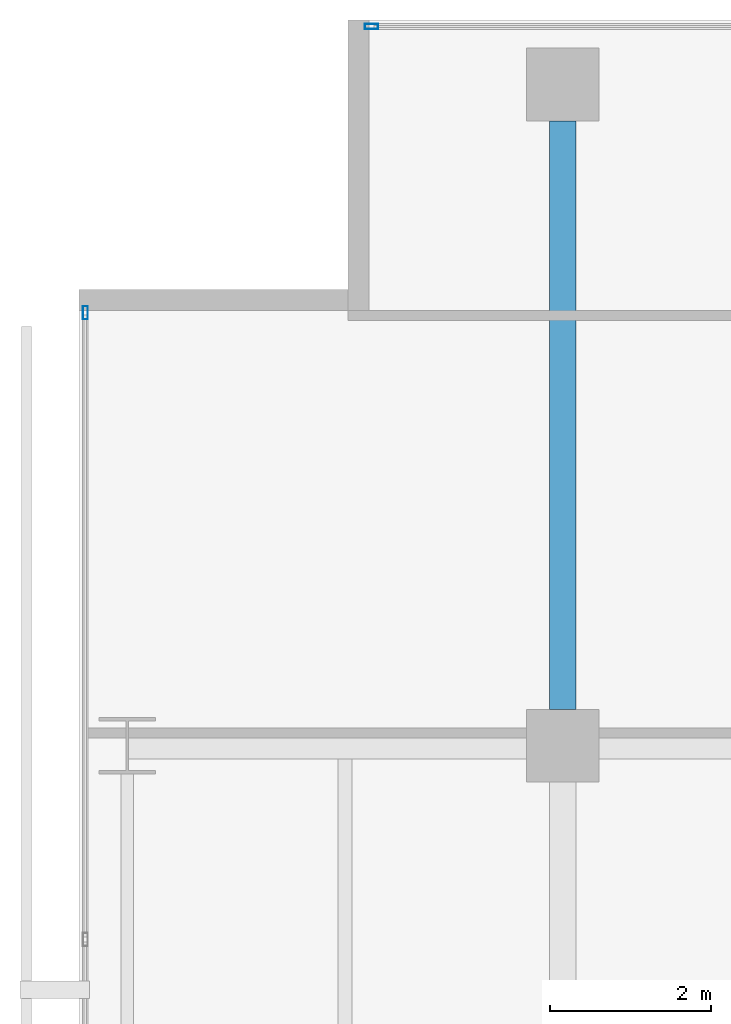
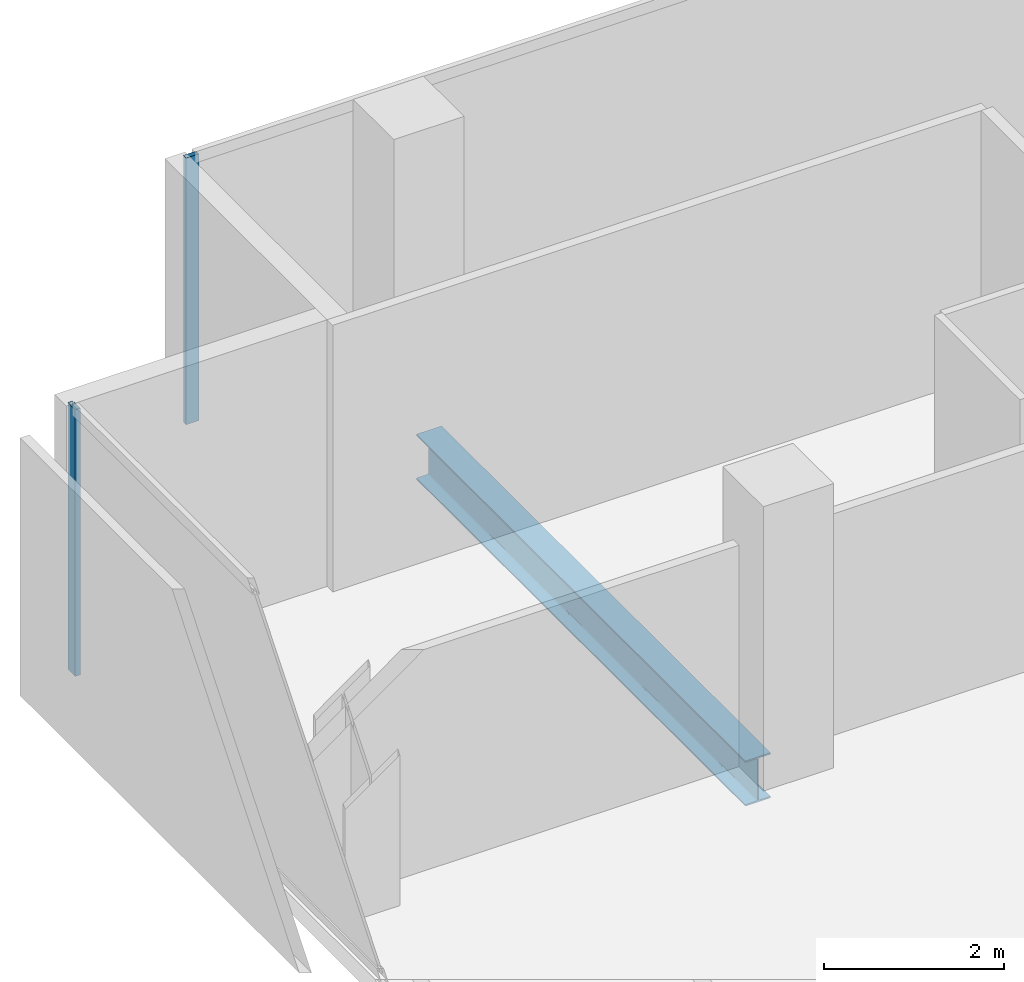
# One storey, part 25 of 40: 2 members, 1 beam, 2 elements without a shape of their own.
"""IFC4 building model written with IfcOpenShell, lengths in metres."""

from ifc_helpers import new_model, si_unit, direction, frame, origin, origin_2d, place, context, subcontext, project, spatial, hollow_rectangle, i_section, extrude, material, layer, layer_set, material_profile, profile_set, type_object, element, aggregate, save


model = new_model("IFC4")

# Units and contexts
model_context = context("Model", 3, precision=1e-05, world=origin(), true_north=direction((0.0, 1.0)))
body_context = subcontext(model_context, "Body", "Model", "MODEL_VIEW")
ifc_project = project(units=[si_unit("LENGTHUNIT", "METRE"), si_unit("AREAUNIT", "SQUARE_METRE"), si_unit("VOLUMEUNIT", "CUBIC_METRE"), si_unit("PLANEANGLEUNIT", "RADIAN"), si_unit("MASSUNIT", "GRAM", prefix="KILO")], contexts=[model_context])

# Site, building, storey
site_placement = place(None, origin())
site = spatial("IfcSite", under=ifc_project, at=site_placement, CompositionType="ELEMENT")
building_placement = place(site_placement, origin())
building = spatial("IfcBuilding", under=site, at=building_placement, Name="Maruvema Waterfront Hotel and Observation Tower", CompositionType="ELEMENT")
storey_placement = place(building_placement, frame((0.0, 0.0, 77.0)))
storey = spatial("IfcBuildingStorey", under=building, at=storey_placement, Name="L18", CompositionType="ELEMENT", Elevation=77.0)

# Curtain wall, member
ifc_material_1 = material(Name="Anodised bronze aluminium and solar-control low-E IGU", Category="aluminium")
ifc_layer = layer(ifc_material_1, 0.159912109375, Name="Zone 1 Bronze Inner Thermal Curtain Wall System CW-02")
ifc_layer_set = layer_set([ifc_layer], Name="Anodised bronze aluminium and solar-control low-E IGU")
curtain_wall_type = type_object("IfcCurtainWallType", Name="Zone 1 Bronze Inner Thermal Curtain Wall System CW-02", PredefinedType="USERDEFINED", material=ifc_layer_set)
curtain_wall_1_placement = place(storey_placement, origin())
curtain_wall_1 = element("IfcCurtainWall", 1, at=curtain_wall_1_placement, inside=storey, type_object=curtain_wall_type, Name="L18 Curtain Wall CW-L18-W", ObjectType="UNITISED CURTAIN WALL", PredefinedType="USERDEFINED")
ifc_material_2 = material(Name="Anodised architectural bronze aluminium", Category="aluminium")
ifc_material_profile_1 = material_profile(ifc_material_2, hollow_rectangle(XDim=0.06494140625, YDim=0.1650390625, WallThickness=0.00390625, at=origin_2d()), Name="ALU-M65x165")
ifc_profile_set_1 = profile_set([ifc_material_profile_1], Name="Anodised architectural bronze aluminium")
member_type = type_object("IfcMemberType", Name="Curtain Wall Primary Mullion ALU-M65x165", PredefinedType="MULLION", material=ifc_profile_set_1)
member_1_placement = place(storey_placement, frame((10.8798828125, 50.3701171875, 0.0), z_axis=(0.0, 0.0, 1.0), x_axis=(1.0, 0.0, 0.0)))
member_1 = element("IfcMember", 2, at=member_1_placement, type_object=member_type, Name="CW-02 mullion 1", PredefinedType="MULLION", context=body_context, shape_type="SweptSolid", body=[
    extrude(hollow_rectangle(XDim=0.06494140625, YDim=0.1650390625, WallThickness=0.00390625, at=origin_2d()), origin(), (0.0, 0.0, 1.0), 3.610107421875),
])
aggregate(curtain_wall_1, [member_1])

curtain_wall_2_placement = place(storey_placement, origin())
curtain_wall_2 = element("IfcCurtainWall", 3, at=curtain_wall_2_placement, inside=storey, type_object=curtain_wall_type, Name="L18 Curtain Wall CW-L18-NW", ObjectType="UNITISED CURTAIN WALL", PredefinedType="USERDEFINED")
member_2_placement = place(storey_placement, frame((14.429931640625, 53.919921875, 0.0), z_axis=(0.0, 0.0, 1.0), x_axis=(0.0, -1.0, 0.0)))
member_2 = element("IfcMember", 4, at=member_2_placement, type_object=member_type, Name="CW-02 mullion 2", PredefinedType="MULLION", context=body_context, shape_type="SweptSolid", body=[
    extrude(hollow_rectangle(XDim=0.06494140625, YDim=0.1650390625, WallThickness=0.00390625, at=origin_2d()), origin(), (0.0, 0.0, 1.0), 3.610107421875),
])
aggregate(curtain_wall_2, [member_2])

# Beam
ifc_material_3 = material(Name="Steel ASTM A572 Grade 50", Category="steel")
ifc_material_profile_2 = material_profile(ifc_material_3, i_section(OverallWidth=0.323974609375, OverallDepth=0.611083984375, WebThickness=0.0126953125, FlangeThickness=0.01904296875, FilletRadius=0.01806640625, at=origin_2d()), Name="W610x155.0")
ifc_profile_set_2 = profile_set([ifc_material_profile_2], Name="Steel ASTM A572 Grade 50")
beam_type = type_object("IfcBeamType", Name="Primary Floor Girder W610x155.0", PredefinedType="BEAM", material=ifc_profile_set_2)
beam_placement = place(storey_placement, frame((16.800048828125, 45.449951171875, -0.54541015625), z_axis=(0.0, 1.0, 0.0), x_axis=(-1.0, 0.0, 0.0)))
element("IfcBeam", 5, at=beam_placement, inside=storey, type_object=beam_type, Name="L18 Floor Girder NS-10", PredefinedType="BEAM", context=body_context, shape_type="SweptSolid", body=[
    extrude(i_section(OverallWidth=0.323974609375, OverallDepth=0.611083984375, WebThickness=0.0126953125, FlangeThickness=0.01904296875, FilletRadius=0.01806640625, at=origin_2d()), origin(), (0.0, 0.0, 1.0), 7.300048828125),
])

save(model, "model.ifc")
